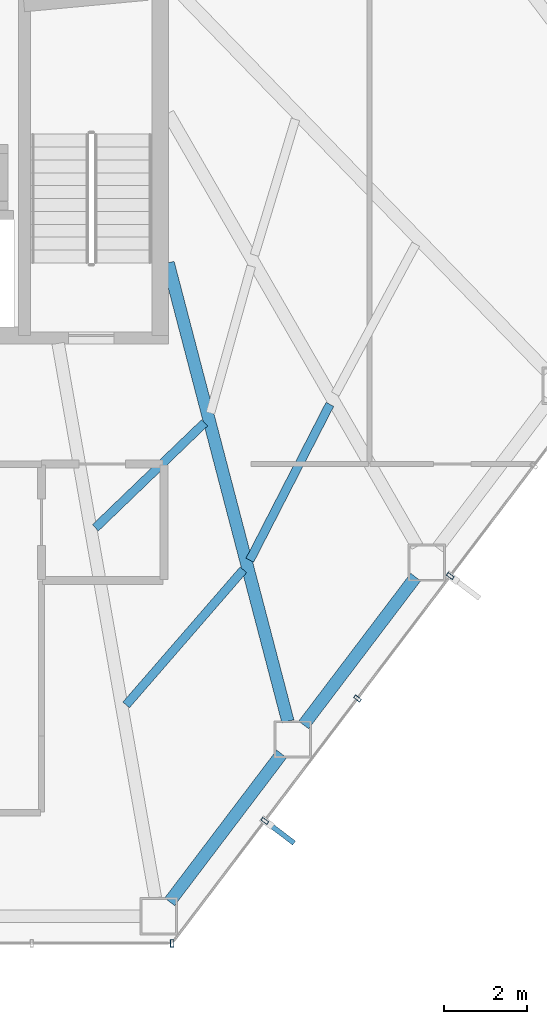
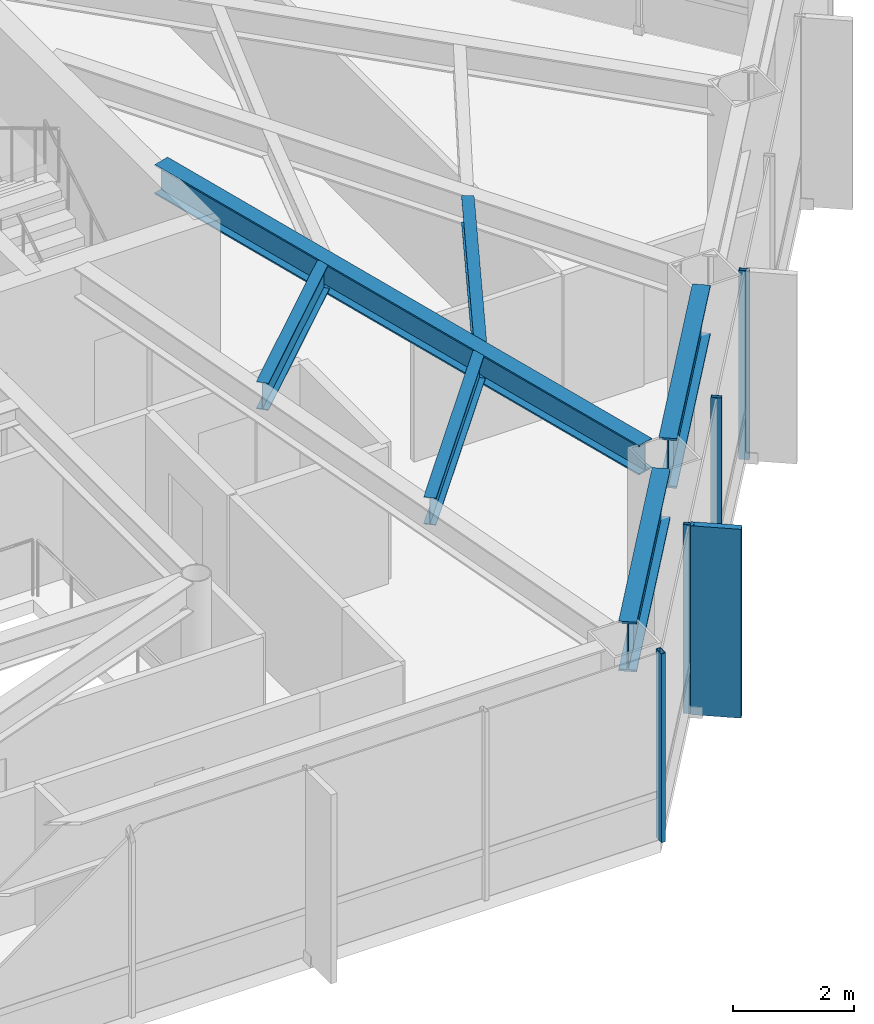
# One storey, part 14 of 24: 6 beams, 5 members, 2 elements without a shape of their own.
"""IFC4 building model written with IfcOpenShell, lengths in metres."""

from ifc_helpers import new_model, si_unit, direction, frame, origin, origin_2d, place, context, subcontext, project, spatial, rectangle, hollow_rectangle, i_section, extrude, material, layer, layer_set, material_profile, profile_set, type_object, element, aggregate, save


model = new_model("IFC4")

# Units and contexts
model_context = context("Model", 3, precision=1e-05, world=origin(), true_north=direction((0.0, 1.0)))
body_context = subcontext(model_context, "Body", "Model", "MODEL_VIEW")
ifc_project = project(units=[si_unit("LENGTHUNIT", "METRE"), si_unit("AREAUNIT", "SQUARE_METRE"), si_unit("VOLUMEUNIT", "CUBIC_METRE"), si_unit("PLANEANGLEUNIT", "RADIAN"), si_unit("MASSUNIT", "GRAM", prefix="KILO")], contexts=[model_context])

# Site, building, storey
site_placement = place(None, origin())
site = spatial("IfcSite", under=ifc_project, at=site_placement, CompositionType="ELEMENT")
building_placement = place(site_placement, origin())
building = spatial("IfcBuilding", under=site, at=building_placement, Name="Zarrinselat Tower", CompositionType="ELEMENT")
storey_placement = place(building_placement, frame((0.0, 0.0, 76.5)))
storey = spatial("IfcBuildingStorey", under=building, at=storey_placement, Name="L18", CompositionType="ELEMENT", Elevation=76.5)

# Beams
ifc_material_1 = material(Name="Steel S355J2", Category="steel")
ifc_material_profile_1 = material_profile(ifc_material_1, i_section(OverallWidth=0.300048828125, OverallDepth=0.60009765625, WebThickness=0.015380859375, FlangeThickness=0.030029296875, at=origin_2d()), Name="HEB 600")
ifc_profile_set_1 = profile_set([ifc_material_profile_1], Name="Steel S355J2")
beam_type_1 = type_object("IfcBeamType", Name="BM-HEB600", PredefinedType="BEAM", material=ifc_profile_set_1)
beam_1_placement = place(storey_placement, frame((48.449951171875, 35.0, 3.52001953125), z_axis=(0.252821432192, -0.967512957755, 0.0), x_axis=(0.967512957755, 0.252821432192, 0.0)))
element("IfcBeam", 1, at=beam_1_placement, inside=storey, type_object=beam_type_1, Name="L18 Radial Primary Girder RG12", PredefinedType="BEAM", context=body_context, shape_type="SweptSolid", body=[
    extrude(i_section(OverallWidth=0.300048828125, OverallDepth=0.60009765625, WebThickness=0.015380859375, FlangeThickness=0.030029296875, at=origin_2d()), origin(), (0.0, 0.0, 1.0), 11.4169921875),
])
ifc_material_2 = material(Name="Steel S460M", Category="steel")
ifc_material_profile_2 = material_profile(ifc_material_2, i_section(OverallWidth=0.302001953125, OverallDepth=1.008056640625, WebThickness=0.02099609375, FlangeThickness=0.0400390625, at=origin_2d()), Name="HEM 1000")
ifc_profile_set_2 = profile_set([ifc_material_profile_2], Name="Steel S460M")
beam_type_2 = type_object("IfcBeamType", Name="BM-HEM1000", PredefinedType="BEAM", material=ifc_profile_set_2)
beam_2_placement = place(storey_placement, frame((48.48681640625, 19.60400390625, 3.31591796875), z_axis=(0.603837710375, 0.797107282321, 0.0), x_axis=(-0.797107282321, 0.603837710375, 0.0)))
element("IfcBeam", 2, at=beam_2_placement, inside=storey, type_object=beam_type_2, Name="L18 Perimeter Spandrel Girder SP11", PredefinedType="BEAM", context=body_context, shape_type="SweptSolid", body=[
    extrude(i_section(OverallWidth=0.302001953125, OverallDepth=1.008056640625, WebThickness=0.02099609375, FlangeThickness=0.0400390625, at=origin_2d()), origin(), (0.0, 0.0, 1.0), 4.470458984375),
])
beam_3_placement = place(storey_placement, frame((51.715087890625, 23.86572265625, 3.31591796875), z_axis=(0.60387240762, 0.79708099671, 0.0), x_axis=(-0.79708099671, 0.60387240762, 0.0)))
element("IfcBeam", 3, at=beam_3_placement, inside=storey, type_object=beam_type_2, Name="L18 Perimeter Spandrel Girder SP12", PredefinedType="BEAM", context=body_context, shape_type="SweptSolid", body=[
    extrude(i_section(OverallWidth=0.302001953125, OverallDepth=1.008056640625, WebThickness=0.02099609375, FlangeThickness=0.0400390625, at=origin_2d()), origin(), (0.0, 0.0, 1.0), 4.470703125),
])
ifc_material_3 = material(Name="Steel S355J2", Category="steel")
ifc_material_profile_3 = material_profile(ifc_material_3, i_section(OverallWidth=0.2099609375, OverallDepth=0.550048828125, WebThickness=0.010986328125, FlangeThickness=0.01708984375, at=origin_2d()), Name="IPE 550")
ifc_profile_set_3 = profile_set([ifc_material_profile_3], Name="Steel S355J2")
beam_type_3 = type_object("IfcBeamType", Name="BM-IPE550", PredefinedType="JOIST", material=ifc_profile_set_3)
beam_4_placement = place(storey_placement, frame((47.43896484375, 24.34814453125, 3.544921875), z_axis=(0.655286303374, 0.755380606457, 0.0), x_axis=(-0.755380606457, 0.655286303374, 0.0)))
element("IfcBeam", 4, at=beam_4_placement, inside=storey, type_object=beam_type_3, Name="L18 Composite Floor Joist 3-1", PredefinedType="JOIST", context=body_context, shape_type="SweptSolid", body=[
    extrude(i_section(OverallWidth=0.2099609375, OverallDepth=0.550048828125, WebThickness=0.010986328125, FlangeThickness=0.01708984375, at=origin_2d()), origin(), (0.0, 0.0, 1.0), 4.309814453125),
])
beam_5_placement = place(storey_placement, frame((46.697998046875, 28.61474609375, 3.544921875), z_axis=(0.720675078689, 0.693272984442, 0.0), x_axis=(-0.693272984442, 0.720675078689, 0.0)))
element("IfcBeam", 5, at=beam_5_placement, inside=storey, type_object=beam_type_3, Name="L18 Composite Floor Joist 3-2", PredefinedType="JOIST", context=body_context, shape_type="SweptSolid", body=[
    extrude(i_section(OverallWidth=0.2099609375, OverallDepth=0.550048828125, WebThickness=0.010986328125, FlangeThickness=0.01708984375, at=origin_2d()), origin(), (0.0, 0.0, 1.0), 3.65283203125),
])
beam_6_placement = place(storey_placement, frame((50.4189453125, 27.833984375, 3.544921875), z_axis=(0.456782434054, 0.889578443949, 0.0), x_axis=(-0.889578443949, 0.456782434054, 0.0)))
element("IfcBeam", 6, at=beam_6_placement, inside=storey, type_object=beam_type_3, Name="L18 Composite Floor Joist 4-1", PredefinedType="JOIST", context=body_context, shape_type="SweptSolid", body=[
    extrude(i_section(OverallWidth=0.2099609375, OverallDepth=0.550048828125, WebThickness=0.010986328125, FlangeThickness=0.01708984375, at=origin_2d()), origin(), (0.0, 0.0, 1.0), 4.223876953125),
])

# Curtain wall, member
ifc_material_4 = material(Name="Extruded Aluminium Alloy EN AW-6063 T6", Category="aluminium")
ifc_layer = layer(ifc_material_4, 0.18505859375)
ifc_layer_set = layer_set([ifc_layer], Name="Extruded Aluminium Alloy EN AW-6063 T6")
curtain_wall_type = type_object("IfcCurtainWallType", Name="CWS-OFF", PredefinedType="NOTDEFINED", material=ifc_layer_set)
curtain_wall_1_placement = place(storey_placement, origin())
curtain_wall_1 = element("IfcCurtainWall", 7, at=curtain_wall_1_placement, inside=storey, type_object=curtain_wall_type, Name="L18 Unitised Curtain Wall CW-L18-E04", PredefinedType="NOTDEFINED")
ifc_material_5 = material(Name="Extruded Aluminium Alloy EN AW-6063 T6", Category="aluminium")
ifc_material_profile_4 = material_profile(ifc_material_5, hollow_rectangle(XDim=0.080078125, YDim=0.179931640625, WallThickness=0.0048828125, at=origin_2d()), Name="RHS 180x80x5")
ifc_profile_set_4 = profile_set([ifc_material_profile_4], Name="Extruded Aluminium Alloy EN AW-6063 T6")
member_type_1 = type_object("IfcMemberType", Name="MEM-CW-MUL", PredefinedType="MULLION", material=ifc_profile_set_4)
member_1_placement = place(storey_placement, frame((48.545166015625, 18.60498046875, 0.0), z_axis=(0.0, 0.0, 1.0), x_axis=(1.0, 0.0, 0.0)))
member_1 = element("IfcMember", 8, at=member_1_placement, type_object=member_type_1, Name="CW-L18-E04 Mullion 7", PredefinedType="MULLION", context=body_context, shape_type="SweptSolid", body=[
    extrude(hollow_rectangle(XDim=0.080078125, YDim=0.179931640625, WallThickness=0.0048828125, at=origin_2d()), origin(), (0.0, 0.0, 1.0), 3.820068359375),
])
aggregate(curtain_wall_1, [member_1])

# Curtain wall, members
curtain_wall_2_placement = place(storey_placement, origin())
curtain_wall_2 = element("IfcCurtainWall", 9, at=curtain_wall_2_placement, inside=storey, type_object=curtain_wall_type, Name="L18 Unitised Curtain Wall CW-L18-E05", PredefinedType="NOTDEFINED")
member_2_placement = place(storey_placement, frame((50.779541015625, 21.55419921875, 0.0), z_axis=(0.0, 0.0, 1.0), x_axis=(0.603855086386, 0.797094119063, 0.0)))
member_2 = element("IfcMember", 10, at=member_2_placement, type_object=member_type_1, Name="CW-L18-E05 Mullion 1", PredefinedType="MULLION", context=body_context, shape_type="SweptSolid", body=[
    extrude(hollow_rectangle(XDim=0.080078125, YDim=0.179931640625, WallThickness=0.0048828125, at=origin_2d()), origin(), (0.0, 0.0, 1.0), 3.820068359375),
])
member_3_placement = place(storey_placement, frame((53.013916015625, 24.50390625, 0.0), z_axis=(0.0, 0.0, 1.0), x_axis=(0.603855086386, 0.797094119063, 0.0)))
member_3 = element("IfcMember", 11, at=member_3_placement, type_object=member_type_1, Name="CW-L18-E05 Mullion 2", PredefinedType="MULLION", context=body_context, shape_type="SweptSolid", body=[
    extrude(hollow_rectangle(XDim=0.080078125, YDim=0.179931640625, WallThickness=0.0048828125, at=origin_2d()), origin(), (0.0, 0.0, 1.0), 3.820068359375),
])
member_4_placement = place(storey_placement, frame((55.24853515625, 27.453369140625, 0.0), z_axis=(0.0, 0.0, 1.0), x_axis=(0.603855086386, 0.797094119063, 0.0)))
member_4 = element("IfcMember", 12, at=member_4_placement, type_object=member_type_1, Name="CW-L18-E05 Mullion 3", PredefinedType="MULLION", context=body_context, shape_type="SweptSolid", body=[
    extrude(hollow_rectangle(XDim=0.080078125, YDim=0.179931640625, WallThickness=0.0048828125, at=origin_2d()), origin(), (0.0, 0.0, 1.0), 3.820068359375),
])
ifc_material_6 = material(Name="Honed Cream Travertine Stone", Category="masonry")
ifc_material_profile_5 = material_profile(ifc_material_6, rectangle(XDim=0.1201171875, YDim=0.85009765625, at=origin_2d()), Name="FIN 850x120")
ifc_profile_set_5 = profile_set([ifc_material_profile_5], Name="Honed Cream Travertine Stone")
member_type_2 = type_object("IfcMemberType", Name="MEM-STONE-FIN", PredefinedType="USERDEFINED", material=ifc_profile_set_5)
member_5_placement = place(storey_placement, frame((51.146240234375, 21.276611328125, 0.0), z_axis=(0.0, 0.0, 1.0), x_axis=(-0.603855086386, -0.797094119063, 0.0)))
member_5 = element("IfcMember", 13, at=member_5_placement, type_object=member_type_2, Name="L18 Stone Shading Fin CW-L18-E05-01", ObjectType="FIN", PredefinedType="USERDEFINED", context=body_context, shape_type="SweptSolid", body=[
    extrude(rectangle(XDim=0.1201171875, YDim=0.85009765625, at=origin_2d()), origin(), (0.0, 0.0, 1.0), 3.820068359375),
])
aggregate(curtain_wall_2, [member_2, member_5, member_3, member_4])

save(model, "model.ifc")
